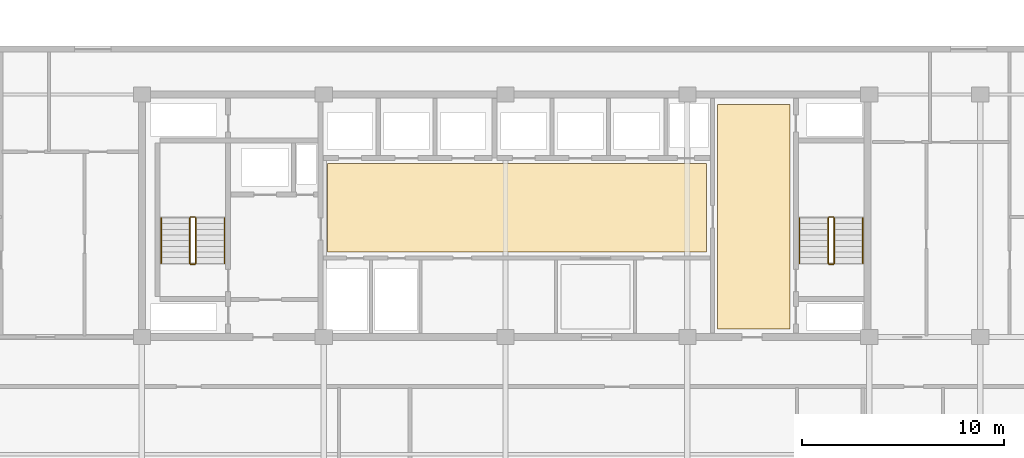
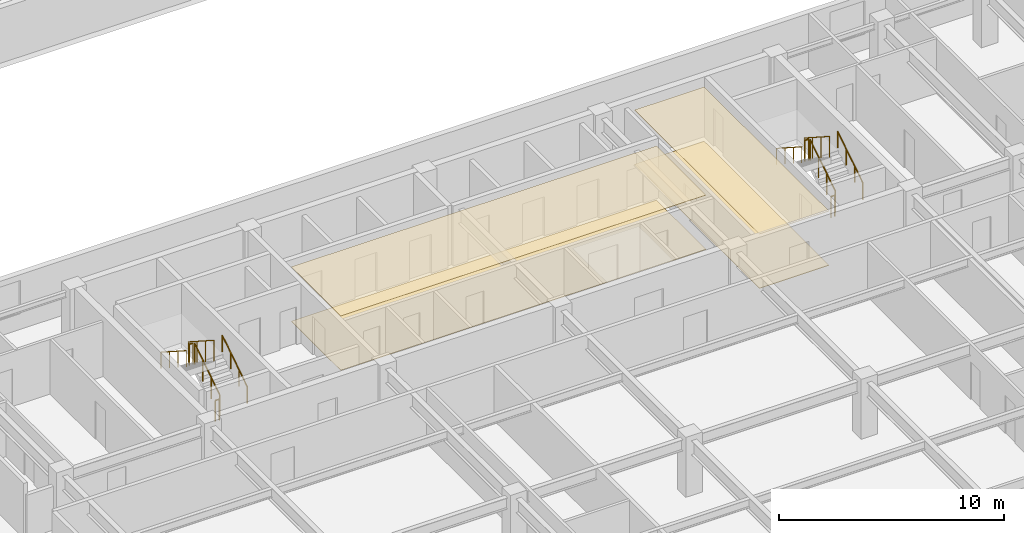
# One storey, part 35 of 38: 12 railings, 4 coverings.
"""IFC4 building model written with IfcOpenShell, lengths in metres."""

from ifc_helpers import new_model, si_unit, direction, frame, origin, origin_2d, place, context, subcontext, project, spatial, polyline, circle, outline, extrude, material, layer, layer_set, type_object, element, save


model = new_model("IFC4")

# Units and contexts
model_context = context("Model", 3, precision=1e-05, world=origin(), true_north=direction((0.0, 1.0)))
body_context = subcontext(model_context, "Body", "Model", "MODEL_VIEW")
ifc_project = project(units=[si_unit("LENGTHUNIT", "METRE"), si_unit("AREAUNIT", "SQUARE_METRE"), si_unit("VOLUMEUNIT", "CUBIC_METRE"), si_unit("PLANEANGLEUNIT", "RADIAN"), si_unit("MASSUNIT", "GRAM", prefix="KILO")], contexts=[model_context])

# Site, building, storey
site_placement = place(None, origin())
site = spatial("IfcSite", under=ifc_project, at=site_placement, CompositionType="ELEMENT")
building_placement = place(site_placement, origin())
building = spatial("IfcBuilding", under=site, at=building_placement, Name="Korimba Cascade Residences", CompositionType="ELEMENT")
storey_placement = place(building_placement, frame((0.0, 0.0, 93.800048828125)))
storey = spatial("IfcBuildingStorey", under=building, at=storey_placement, Name="L26", CompositionType="ELEMENT", Elevation=93.800048828125)

# Coverings
ifc_material_1 = material(Name="Perforated Acoustic Gypsum Ceiling", Category="gypsum")
ifc_layer_1 = layer(ifc_material_1, 0.02490234375)
ifc_layer_set_1 = layer_set([ifc_layer_1], Name="Perforated Acoustic Gypsum Ceiling")
covering_type_1 = type_object("IfcCoveringType", Name="COV-CLG-AC", PredefinedType="CEILING", material=ifc_layer_set_1)
covering_1_placement = place(storey_placement, frame((0.0, 0.0, 2.945068359375)))
element("IfcCovering", 1, at=covering_1_placement, inside=storey, type_object=covering_type_1, Name="L26 Suspended Acoustic Ceiling L26-LL2", PredefinedType="CEILING", context=body_context, shape_type="SweptSolid", body=[
    extrude(outline(polyline([(91.300048828125, 22.60009765625), (110.050048828125, 22.60009765625), (110.050048828125, 27.0), (91.300048828125, 27.0), (91.300048828125, 22.60009765625)])), origin(), (0.0, 0.0, 1.0), 0.02490234375),
])
covering_2_placement = place(storey_placement, frame((0.0, 0.0, 2.945068359375)))
element("IfcCovering", 2, at=covering_2_placement, inside=storey, type_object=covering_type_1, Name="L26 Suspended Acoustic Ceiling L26-EV2", PredefinedType="CEILING", context=body_context, shape_type="SweptSolid", body=[
    extrude(outline(polyline([(110.60009765625, 18.800048828125), (114.169921875, 18.800048828125), (114.169921875, 29.89990234375), (110.60009765625, 29.89990234375), (110.60009765625, 18.800048828125)])), origin(), (0.0, 0.0, 1.0), 0.02490234375),
])
ifc_material_2 = material(Name="Honed Travertine Stone Flooring", Category="masonry")
ifc_layer_2 = layer(ifc_material_2, 0.02490234375)
ifc_layer_set_2 = layer_set([ifc_layer_2], Name="Honed Travertine Stone Flooring")
covering_type_2 = type_object("IfcCoveringType", Name="COV-FLR-STN", PredefinedType="FLOORING", material=ifc_layer_set_2)
covering_3_placement = place(storey_placement, origin())
element("IfcCovering", 3, at=covering_3_placement, inside=storey, type_object=covering_type_2, Name="L26 Honed Travertine Stone Flooring L26-LL2", PredefinedType="FLOORING", context=body_context, shape_type="SweptSolid", body=[
    extrude(outline(polyline([(91.300048828125, 22.60009765625), (110.050048828125, 22.60009765625), (110.050048828125, 27.0), (91.300048828125, 27.0), (91.300048828125, 22.60009765625)])), origin(), (0.0, 0.0, 1.0), 0.02490234375),
])
covering_4_placement = place(storey_placement, origin())
element("IfcCovering", 4, at=covering_4_placement, inside=storey, type_object=covering_type_2, Name="L26 Honed Travertine Stone Flooring L26-EV2", PredefinedType="FLOORING", context=body_context, shape_type="SweptSolid", body=[
    extrude(outline(polyline([(110.60009765625, 18.800048828125), (114.169921875, 18.800048828125), (114.169921875, 29.89990234375), (110.60009765625, 29.89990234375), (110.60009765625, 18.800048828125)])), origin(), (0.0, 0.0, 1.0), 0.02490234375),
])

# Railings
ifc_material_3 = material(Name="Painted Steel Stairwell Guardrail", Category="steel")
railing_type_1 = type_object("IfcRailingType", Name="RLG-ST-GD1150", PredefinedType="GUARDRAIL", material=ifc_material_3)
railing_1_placement = place(storey_placement, frame((84.77001953125, 22.050048828125, 0.180419921875)))
element("IfcRailing", 5, at=railing_1_placement, inside=storey, type_object=railing_type_1, Name="L26 ST-E1 stair guard 1", PredefinedType="GUARDRAIL", context=body_context, shape_type="SweptSolid", body=[
    extrude(circle(Radius=0.02392578125, at=origin_2d()), frame((0.0, 0.0, 1.1259765625), z_axis=(0.0, 0.840394893359, 0.541974559565), x_axis=(-1.0, 0.0, 0.0)), (0.0, 0.0, 1.0), 2.665283203125),
    extrude(circle(Radius=0.02099609375, at=origin_2d()), origin(), (0.0, 0.0, 1.0), 1.101806640625),
    extrude(circle(Radius=0.02099609375, at=origin_2d()), frame((0.0, 0.74658203125, 0.4814453125)), (0.0, 0.0, 1.0), 1.101806640625),
    extrude(circle(Radius=0.02099609375, at=origin_2d()), frame((0.0, 1.493408203125, 0.963134765625)), (0.0, 0.0, 1.0), 1.101806640625),
    extrude(circle(Radius=0.02099609375, at=origin_2d()), frame((0.0, 2.239990234375, 1.444580078125)), (0.0, 0.0, 1.0), 1.101806640625),
])
railing_2_placement = place(storey_placement, frame((84.719970703125, 24.340087890625, 1.625)))
element("IfcRailing", 6, at=railing_2_placement, inside=storey, type_object=railing_type_1, Name="L26 ST-E1 stair guard 2", PredefinedType="GUARDRAIL", context=body_context, shape_type="SweptSolid", body=[
    extrude(circle(Radius=0.02392578125, at=origin_2d()), frame((0.0, 0.0, 1.1259765625), z_axis=(-1.0, 0.0, 0.0), x_axis=(0.0, -1.0, 0.0)), (0.0, 0.0, 1.0), 0.199951171875),
    extrude(circle(Radius=0.02099609375, at=origin_2d()), origin(), (0.0, 0.0, 1.0), 1.101806640625),
    extrude(circle(Radius=0.02099609375, at=origin_2d()), frame((-0.199951171875, 0.0, 0.0)), (0.0, 0.0, 1.0), 1.101806640625),
])
railing_3_placement = place(storey_placement, frame((84.469970703125, 24.2900390625, 1.805419921875)))
element("IfcRailing", 7, at=railing_3_placement, inside=storey, type_object=railing_type_1, Name="L26 ST-E1 stair guard 3", PredefinedType="GUARDRAIL", context=body_context, shape_type="SweptSolid", body=[
    extrude(circle(Radius=0.02392578125, at=origin_2d()), frame((0.0, 0.0, 1.1259765625), z_axis=(0.0, -0.840394893359, 0.541974559565), x_axis=(1.0, 0.0, 0.0)), (0.0, 0.0, 1.0), 2.665283203125),
    extrude(circle(Radius=0.02099609375, at=origin_2d()), origin(), (0.0, 0.0, 1.0), 1.101806640625),
    extrude(circle(Radius=0.02099609375, at=origin_2d()), frame((0.0, -0.74658203125, 0.4814453125)), (0.0, 0.0, 1.0), 1.101806640625),
    extrude(circle(Radius=0.02099609375, at=origin_2d()), frame((0.0, -1.493408203125, 0.963134765625)), (0.0, 0.0, 1.0), 1.101806640625),
    extrude(circle(Radius=0.02099609375, at=origin_2d()), frame((0.0, -2.239990234375, 1.444580078125)), (0.0, 0.0, 1.0), 1.101806640625),
])
railing_4_placement = place(storey_placement, frame((84.719970703125, 22.0, 0.0)))
element("IfcRailing", 8, at=railing_4_placement, inside=storey, type_object=railing_type_1, Name="L26 ST-E1 stair guard 4", PredefinedType="GUARDRAIL", context=body_context, shape_type="SweptSolid", body=[
    extrude(circle(Radius=0.02392578125, at=origin_2d()), frame((0.0, 0.0, 1.1259765625), z_axis=(-1.0, 0.0, 0.0), x_axis=(0.0, -1.0, 0.0)), (0.0, 0.0, 1.0), 0.199951171875),
    extrude(circle(Radius=0.02099609375, at=origin_2d()), origin(), (0.0, 0.0, 1.0), 1.101806640625),
    extrude(circle(Radius=0.02099609375, at=origin_2d()), frame((-0.199951171875, 0.0, 0.0)), (0.0, 0.0, 1.0), 1.101806640625),
])
railing_5_placement = place(storey_placement, frame((116.3701171875, 22.050048828125, 0.180419921875)))
element("IfcRailing", 9, at=railing_5_placement, inside=storey, type_object=railing_type_1, Name="L26 ST-E2 stair guard 1", PredefinedType="GUARDRAIL", context=body_context, shape_type="SweptSolid", body=[
    extrude(circle(Radius=0.02392578125, at=origin_2d()), frame((0.0, 0.0, 1.1259765625), z_axis=(0.0, 0.840394893359, 0.541974559565), x_axis=(-1.0, 0.0, 0.0)), (0.0, 0.0, 1.0), 2.665283203125),
    extrude(circle(Radius=0.02099609375, at=origin_2d()), origin(), (0.0, 0.0, 1.0), 1.101806640625),
    extrude(circle(Radius=0.02099609375, at=origin_2d()), frame((0.0, 0.74658203125, 0.4814453125)), (0.0, 0.0, 1.0), 1.101806640625),
    extrude(circle(Radius=0.02099609375, at=origin_2d()), frame((0.0, 1.493408203125, 0.963134765625)), (0.0, 0.0, 1.0), 1.101806640625),
    extrude(circle(Radius=0.02099609375, at=origin_2d()), frame((0.0, 2.239990234375, 1.444580078125)), (0.0, 0.0, 1.0), 1.101806640625),
])
railing_6_placement = place(storey_placement, frame((116.320068359375, 24.340087890625, 1.625)))
element("IfcRailing", 10, at=railing_6_placement, inside=storey, type_object=railing_type_1, Name="L26 ST-E2 stair guard 2", PredefinedType="GUARDRAIL", context=body_context, shape_type="SweptSolid", body=[
    extrude(circle(Radius=0.02392578125, at=origin_2d()), frame((0.0, 0.0, 1.1259765625), z_axis=(-1.0, 0.0, 0.0), x_axis=(0.0, -1.0, 0.0)), (0.0, 0.0, 1.0), 0.199951171875),
    extrude(circle(Radius=0.02099609375, at=origin_2d()), origin(), (0.0, 0.0, 1.0), 1.101806640625),
    extrude(circle(Radius=0.02099609375, at=origin_2d()), frame((-0.199951171875, 0.0, 0.0)), (0.0, 0.0, 1.0), 1.101806640625),
])
railing_7_placement = place(storey_placement, frame((116.070068359375, 24.2900390625, 1.805419921875)))
element("IfcRailing", 11, at=railing_7_placement, inside=storey, type_object=railing_type_1, Name="L26 ST-E2 stair guard 3", PredefinedType="GUARDRAIL", context=body_context, shape_type="SweptSolid", body=[
    extrude(circle(Radius=0.02392578125, at=origin_2d()), frame((0.0, 0.0, 1.1259765625), z_axis=(0.0, -0.840394893359, 0.541974559565), x_axis=(1.0, 0.0, 0.0)), (0.0, 0.0, 1.0), 2.665283203125),
    extrude(circle(Radius=0.02099609375, at=origin_2d()), origin(), (0.0, 0.0, 1.0), 1.101806640625),
    extrude(circle(Radius=0.02099609375, at=origin_2d()), frame((0.0, -0.74658203125, 0.4814453125)), (0.0, 0.0, 1.0), 1.101806640625),
    extrude(circle(Radius=0.02099609375, at=origin_2d()), frame((0.0, -1.493408203125, 0.963134765625)), (0.0, 0.0, 1.0), 1.101806640625),
    extrude(circle(Radius=0.02099609375, at=origin_2d()), frame((0.0, -2.239990234375, 1.444580078125)), (0.0, 0.0, 1.0), 1.101806640625),
])
railing_8_placement = place(storey_placement, frame((116.320068359375, 22.0, 0.0)))
element("IfcRailing", 12, at=railing_8_placement, inside=storey, type_object=railing_type_1, Name="L26 ST-E2 stair guard 4", PredefinedType="GUARDRAIL", context=body_context, shape_type="SweptSolid", body=[
    extrude(circle(Radius=0.02392578125, at=origin_2d()), frame((0.0, 0.0, 1.1259765625), z_axis=(-1.0, 0.0, 0.0), x_axis=(0.0, -1.0, 0.0)), (0.0, 0.0, 1.0), 0.199951171875),
    extrude(circle(Radius=0.02099609375, at=origin_2d()), origin(), (0.0, 0.0, 1.0), 1.101806640625),
    extrude(circle(Radius=0.02099609375, at=origin_2d()), frame((-0.199951171875, 0.0, 0.0)), (0.0, 0.0, 1.0), 1.101806640625),
])
ifc_material_4 = material(Name="Brushed Stainless Steel Handrail", Category="steel")
railing_type_2 = type_object("IfcRailingType", Name="RLG-ST-HR900", PredefinedType="HANDRAIL", material=ifc_material_4)
railing_9_placement = place(storey_placement, frame((86.18994140625, 22.050048828125, 0.364990234375)))
element("IfcRailing", 13, at=railing_9_placement, inside=storey, type_object=railing_type_2, Name="L26 ST-E1 stair handrail 1", PredefinedType="HANDRAIL", context=body_context, shape_type="SweptSolid", body=[
    extrude(circle(Radius=0.02392578125, at=origin_2d()), frame((0.0, 0.0, 0.8759765625), z_axis=(0.0, 0.840436612492, 0.541909863706), x_axis=(-1.0, 0.0, 0.0)), (0.0, 0.0, 1.0), 2.665283203125),
    extrude(circle(Radius=0.02099609375, at=origin_2d()), origin(), (0.0, 0.0, 1.0), 0.851806640625),
    extrude(circle(Radius=0.02099609375, at=origin_2d()), frame((0.0, 0.74658203125, 0.4814453125)), (0.0, 0.0, 1.0), 0.851806640625),
    extrude(circle(Radius=0.02099609375, at=origin_2d()), frame((0.0, 1.493408203125, 0.962890625)), (0.0, 0.0, 1.0), 0.851806640625),
    extrude(circle(Radius=0.02099609375, at=origin_2d()), frame((0.0, 2.239990234375, 1.4443359375)), (0.0, 0.0, 1.0), 0.851806640625),
])
railing_10_placement = place(storey_placement, frame((83.050048828125, 24.2900390625, 1.989990234375)))
element("IfcRailing", 14, at=railing_10_placement, inside=storey, type_object=railing_type_2, Name="L26 ST-E1 stair handrail 2", PredefinedType="HANDRAIL", context=body_context, shape_type="SweptSolid", body=[
    extrude(circle(Radius=0.02392578125, at=origin_2d()), frame((0.0, 0.0, 0.8759765625), z_axis=(0.0, -0.840436612492, 0.541909863706), x_axis=(1.0, 0.0, 0.0)), (0.0, 0.0, 1.0), 2.665283203125),
    extrude(circle(Radius=0.02099609375, at=origin_2d()), origin(), (0.0, 0.0, 1.0), 0.851806640625),
    extrude(circle(Radius=0.02099609375, at=origin_2d()), frame((0.0, -0.74658203125, 0.4814453125)), (0.0, 0.0, 1.0), 0.851806640625),
    extrude(circle(Radius=0.02099609375, at=origin_2d()), frame((0.0, -1.493408203125, 0.962890625)), (0.0, 0.0, 1.0), 0.851806640625),
    extrude(circle(Radius=0.02099609375, at=origin_2d()), frame((0.0, -2.239990234375, 1.4443359375)), (0.0, 0.0, 1.0), 0.851806640625),
])
railing_11_placement = place(storey_placement, frame((117.7900390625, 22.050048828125, 0.364990234375)))
element("IfcRailing", 15, at=railing_11_placement, inside=storey, type_object=railing_type_2, Name="L26 ST-E2 stair handrail 1", PredefinedType="HANDRAIL", context=body_context, shape_type="SweptSolid", body=[
    extrude(circle(Radius=0.02392578125, at=origin_2d()), frame((0.0, 0.0, 0.8759765625), z_axis=(0.0, 0.840436612492, 0.541909863706), x_axis=(-1.0, 0.0, 0.0)), (0.0, 0.0, 1.0), 2.665283203125),
    extrude(circle(Radius=0.02099609375, at=origin_2d()), origin(), (0.0, 0.0, 1.0), 0.851806640625),
    extrude(circle(Radius=0.02099609375, at=origin_2d()), frame((0.0, 0.74658203125, 0.4814453125)), (0.0, 0.0, 1.0), 0.851806640625),
    extrude(circle(Radius=0.02099609375, at=origin_2d()), frame((0.0, 1.493408203125, 0.962890625)), (0.0, 0.0, 1.0), 0.851806640625),
    extrude(circle(Radius=0.02099609375, at=origin_2d()), frame((0.0, 2.239990234375, 1.4443359375)), (0.0, 0.0, 1.0), 0.851806640625),
])
railing_12_placement = place(storey_placement, frame((114.64990234375, 24.2900390625, 1.989990234375)))
element("IfcRailing", 16, at=railing_12_placement, inside=storey, type_object=railing_type_2, Name="L26 ST-E2 stair handrail 2", PredefinedType="HANDRAIL", context=body_context, shape_type="SweptSolid", body=[
    extrude(circle(Radius=0.02392578125, at=origin_2d()), frame((0.0, 0.0, 0.8759765625), z_axis=(0.0, -0.840436612492, 0.541909863706), x_axis=(1.0, 0.0, 0.0)), (0.0, 0.0, 1.0), 2.665283203125),
    extrude(circle(Radius=0.02099609375, at=origin_2d()), origin(), (0.0, 0.0, 1.0), 0.851806640625),
    extrude(circle(Radius=0.02099609375, at=origin_2d()), frame((0.0, -0.74658203125, 0.4814453125)), (0.0, 0.0, 1.0), 0.851806640625),
    extrude(circle(Radius=0.02099609375, at=origin_2d()), frame((0.0, -1.493408203125, 0.962890625)), (0.0, 0.0, 1.0), 0.851806640625),
    extrude(circle(Radius=0.02099609375, at=origin_2d()), frame((0.0, -2.239990234375, 1.4443359375)), (0.0, 0.0, 1.0), 0.851806640625),
])

save(model, "model.ifc")
